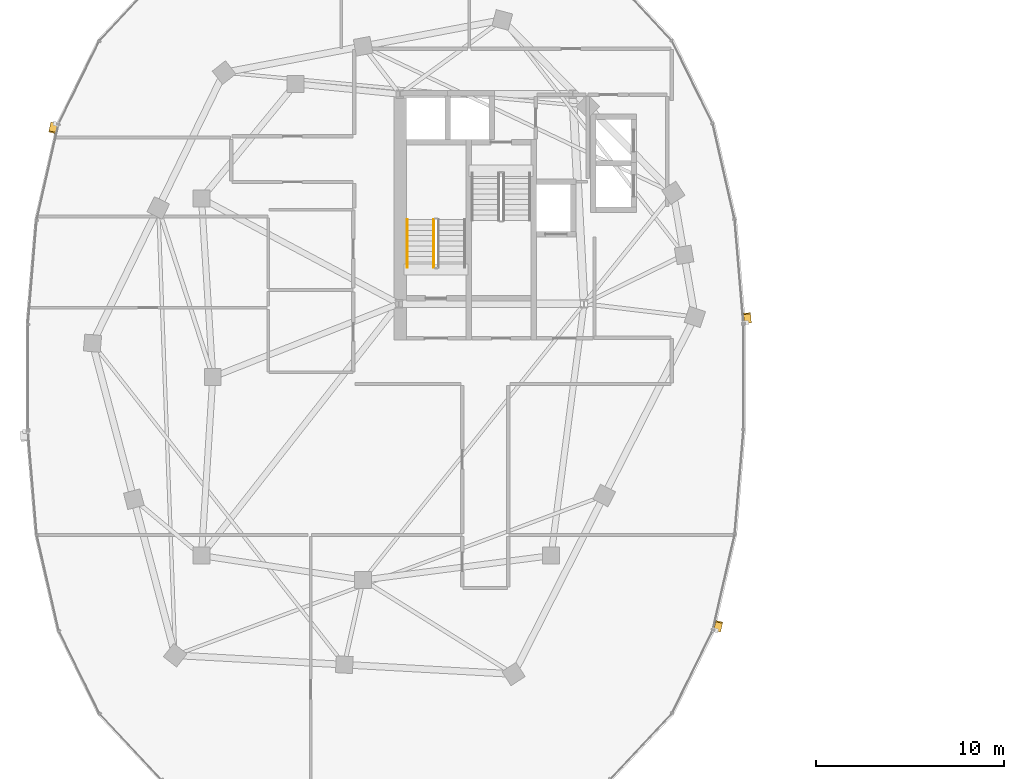
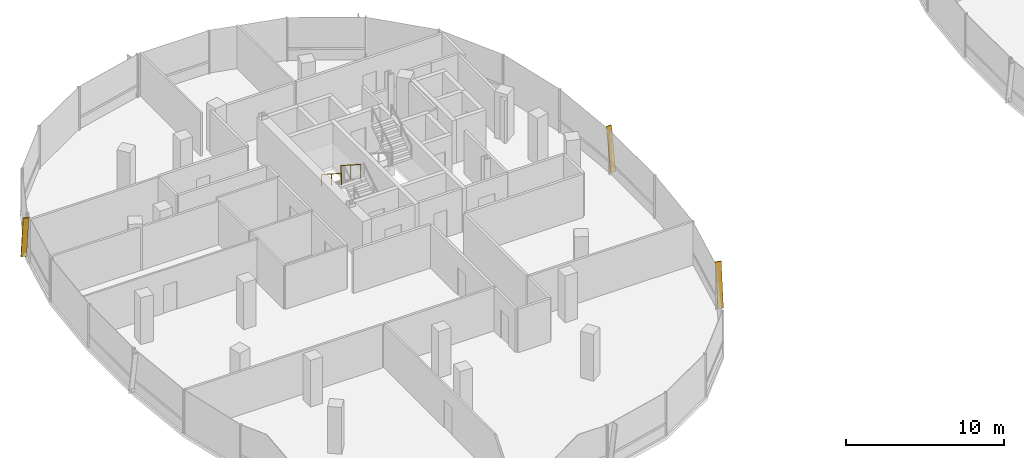
# One storey, part 22 of 25: 3 shading devices, 2 railings.
"""IFC4 building model written with IfcOpenShell, lengths in metres."""

import ifcopenshell
import ifcopenshell.guid

model = None  # the IFC model being written
_history = None  # IfcOwnerHistory: only IFC2X3 demands one
_inside = {}  # id of a spatial element -> (the spatial element, [elements in it])
_under = {}  # id of a project, library or spatial element -> (it, [spatial elements below it])
_declared = {}  # id of a project -> (the project, [libraries it declares])
_typed = {}  # id of a type object -> (the type object, [elements of that type])
_made_of = {}  # id of a material, layer set ... -> (it, [elements and type objects made of it])


def new_model(schema):
    """Start an empty IFC model of exactly this schema.

    Asked for "IFC4X3", IfcOpenShell would pick the latest addendum, in which some entities
    have other attributes; the version numbers below select the first issue.
    IFC2X3 requires an IfcOwnerHistory on every rooted entity: one is made here for all.
    """
    global model, _history
    if schema == "IFC4X3":
        model = ifcopenshell.file(schema_version=(4, 3, 0, 0))
    else:
        model = ifcopenshell.file(schema=schema)
    _inside.clear()
    _under.clear()
    _declared.clear()
    _typed.clear()
    _made_of.clear()
    _history = None
    if model.schema == "IFC2X3":
        org = make("IfcOrganization", Name="unknown")
        user = make(
            "IfcPersonAndOrganization",
            ThePerson=make("IfcPerson", FamilyName="unknown"),
            TheOrganization=org,
        )
        app = make(
            "IfcApplication",
            ApplicationDeveloper=org,
            Version="unknown",
            ApplicationFullName="unknown",
            ApplicationIdentifier="unknown",
        )
        _history = make(
            "IfcOwnerHistory",
            OwningUser=user,
            OwningApplication=app,
            ChangeAction="ADDED",
            CreationDate=0,
        )
    return model


def make(cls, **values):
    """One entity of the class cls with the attributes given. An attribute that is None is left unset."""
    return model.create_entity(
        cls, **{name: value for name, value in values.items() if value is not None}
    )


def rooted(cls, **values):
    """An entity with a GlobalId (a new one), such as an element, a storey or a relation."""
    return make(cls, GlobalId=ifcopenshell.guid.new(), OwnerHistory=_history, **values)


def si_unit(unit_type, name, prefix=None):
    """IfcSIUnit, for example si_unit("LENGTHUNIT", "METRE", prefix="MILLI")."""
    return make("IfcSIUnit", UnitType=unit_type, Prefix=prefix, Name=name)


def assignment(units):
    """IfcUnitAssignment: the units of a project."""
    return None if units is None else make("IfcUnitAssignment", Units=units)


def point(xyz):
    """IfcCartesianPoint."""
    return None if xyz is None else make("IfcCartesianPoint", Coordinates=xyz)


def direction(xyz):
    """IfcDirection."""
    return None if xyz is None else make("IfcDirection", DirectionRatios=xyz)


def frame(location, z_axis=None, x_axis=None):
    """IfcAxis2Placement3D, a coordinate frame: its origin and axes. An axis left out is left unset."""
    return make(
        "IfcAxis2Placement3D",
        Location=point(location),
        Axis=direction(z_axis),
        RefDirection=direction(x_axis),
    )


def frame_2d(location, x_axis=None):
    """IfcAxis2Placement2D, a coordinate frame in the plane: its origin and x axis."""
    return make(
        "IfcAxis2Placement2D", Location=point(location), RefDirection=direction(x_axis)
    )


def origin():
    """The frame at (0, 0, 0) with its axes left unset."""
    return frame((0.0, 0.0, 0.0))


def origin_2d():
    """The frame at (0, 0) in the plane with its x axis left unset."""
    return frame_2d((0.0, 0.0))


def place(relative_to, where):
    """IfcLocalPlacement: puts the frame where relative to a parent placement (None: the world)."""
    return make(
        "IfcLocalPlacement", PlacementRelTo=relative_to, RelativePlacement=where
    )


def context(
    kind, dimensions, precision=None, world=None, true_north=None, identifier=None
):
    """IfcGeometricRepresentationContext, for example the 3D "Model" context."""
    return make(
        "IfcGeometricRepresentationContext",
        ContextIdentifier=identifier,
        ContextType=kind,
        CoordinateSpaceDimension=dimensions,
        Precision=precision,
        WorldCoordinateSystem=world,
        TrueNorth=true_north,
    )


def subcontext(parent, identifier, kind, view, scale=None):
    """IfcGeometricRepresentationSubContext, for example "Body" below "Model"."""
    return make(
        "IfcGeometricRepresentationSubContext",
        ContextIdentifier=identifier,
        ContextType=kind,
        ParentContext=parent,
        TargetScale=scale,
        TargetView=view,
    )


def project(units=None, contexts=None):
    """IfcProject with its units and contexts."""
    return rooted(
        "IfcProject",
        Name="project",
        RepresentationContexts=contexts,
        UnitsInContext=assignment(units),
    )


def spatial(cls, under=None, at=None, **own):
    """A site, building, storey or space (cls), placed at a placement, below another one or the project."""
    s = rooted(cls, ObjectPlacement=at, **own)
    if under is not None:
        _under.setdefault(under.id(), (under, []))[1].append(s)
    return s


def profile(cls, at=None, kind="AREA", **sizes):
    """A parametric profile (cls). Its sizes go by their IFC names, for example OverallWidth=200.0."""
    return make(cls, ProfileType=kind, Position=at, **sizes)


def rectangle(**sizes):
    """IfcRectangleProfileDef."""
    return profile("IfcRectangleProfileDef", **sizes)


def extrude(swept, where, along, depth):
    """IfcExtrudedAreaSolid: the profile swept, set in the frame where, extruded along a direction by depth."""
    return make(
        "IfcExtrudedAreaSolid",
        SweptArea=swept,
        Position=where,
        ExtrudedDirection=direction(along),
        Depth=depth,
    )


def shape(context_of_items, identifier, shape_type, items):
    """IfcShapeRepresentation: the items that make up one representation, for example the "Body"."""
    return make(
        "IfcShapeRepresentation",
        ContextOfItems=context_of_items,
        RepresentationIdentifier=identifier,
        RepresentationType=shape_type,
        Items=items,
    )


def material(Name=None, Category=None):
    """IfcMaterial."""
    return make("IfcMaterial", Name=Name, Category=Category)


def material_profile(
    of_material, cross_section, Name=None, Category=None, Priority=None
):
    """IfcMaterialProfile: a cross section and its material."""
    return make(
        "IfcMaterialProfile",
        Name=Name,
        Material=of_material,
        Profile=cross_section,
        Priority=Priority,
        Category=Category,
    )


def profile_set(profiles, Name=None, composite=None):
    """IfcMaterialProfileSet."""
    return make(
        "IfcMaterialProfileSet",
        Name=Name,
        MaterialProfiles=profiles,
        CompositeProfile=composite,
    )


def made_of(thing, what):
    """Note that an element or type object is made of a material, layer set ...; save() writes the relation."""
    if what is not None:
        _made_of.setdefault(what.id(), (what, []))[1].append(thing)
    return thing


def type_object(cls, material=None, **own):
    """A type object (cls), such as IfcWallType, which elements share."""
    return made_of(rooted(cls, **own), material)


def element(
    cls,
    number,
    at=None,
    inside=None,
    cuts=None,
    type_object=None,
    material=None,
    context=None,
    identifier="Body",
    shape_type=None,
    held_by="IfcProductDefinitionShape",
    body=None,
    shapes=None,
    **own,
):
    """One element of the class cls, such as IfcWall. Its Tag is "e" and its number.

    at: its placement. inside: the storey or other place that contains it. cuts: it is an
    opening in that element (IfcRelVoidsElement). A single representation is given by context,
    identifier, shape_type and body (its items); several are given by shapes. held_by: the class
    of the entity that holds the representations. save() writes the other relations.
    """
    e = rooted(cls, Tag="e%d" % number, ObjectPlacement=at, **own)
    if body is not None:
        shapes = [shape(context, identifier, shape_type, body)]
    if shapes is not None:
        e.Representation = make(held_by, Representations=shapes)
    if inside is not None:
        _inside.setdefault(inside.id(), (inside, []))[1].append(e)
    if cuts is not None:
        rooted(
            "IfcRelVoidsElement", RelatingBuildingElement=cuts, RelatedOpeningElement=e
        )
    if type_object is not None:
        _typed.setdefault(type_object.id(), (type_object, []))[1].append(e)
    return made_of(e, material)


def aggregate(whole, parts):
    """IfcRelAggregates: a whole, such as a stair, and the parts it consists of."""
    return rooted("IfcRelAggregates", RelatingObject=whole, RelatedObjects=parts)


def save(model, path):
    """Write the relations noted so far, then the file.

    IfcRelAggregates (storeys below a building ...), IfcRelContainedInSpatialStructure (elements
    in a storey), IfcRelDefinesByType, IfcRelAssociatesMaterial and IfcRelDeclares: one each for
    every whole, place, type object, material and project.
    """
    for whole, parts in _under.values():
        aggregate(whole, parts)
    for where, things in _inside.values():
        rooted(
            "IfcRelContainedInSpatialStructure",
            RelatedElements=things,
            RelatingStructure=where,
        )
    for kind, things in _typed.values():
        rooted("IfcRelDefinesByType", RelatedObjects=things, RelatingType=kind)
    for what, things in _made_of.values():
        rooted("IfcRelAssociatesMaterial", RelatedObjects=things, RelatingMaterial=what)
    for by, libraries in _declared.values():
        rooted("IfcRelDeclares", RelatingContext=by, RelatedDefinitions=libraries)
    model.write(path)


model = new_model("IFC4")

# Units and contexts
model_context = context("Model", 3, precision=1e-05, world=origin(), true_north=direction((0.0, 1.0)))
body_context = subcontext(model_context, "Body", "Model", "MODEL_VIEW")
ifc_project = project(units=[si_unit("LENGTHUNIT", "METRE"), si_unit("AREAUNIT", "SQUARE_METRE"), si_unit("VOLUMEUNIT", "CUBIC_METRE"), si_unit("PLANEANGLEUNIT", "RADIAN"), si_unit("MASSUNIT", "GRAM", prefix="KILO"), si_unit("THERMODYNAMICTEMPERATUREUNIT", "KELVIN"), si_unit("POWERUNIT", "WATT")], contexts=[model_context])

# Site, building, storey
site_placement = place(None, origin())
site = spatial("IfcSite", under=ifc_project, at=site_placement, CompositionType="ELEMENT")
building_placement = place(site_placement, origin())
building = spatial("IfcBuilding", under=site, at=building_placement, Name="Cundina Bronze Exchange", CompositionType="ELEMENT")
storey_placement = place(building_placement, frame((0.0, 0.0, 202.60009765625)))
storey = spatial("IfcBuildingStorey", under=building, at=storey_placement, Name="L53", CompositionType="ELEMENT", Elevation=202.60009765625)

# Railings
ifc_material_1 = material(Name="Steel ASTM A36 Painted", Category="steel")
railing_type_1 = type_object("IfcRailingType", Name="RLG-HND-900", PredefinedType="HANDRAIL", material=ifc_material_1)
railing_1_placement = place(storey_placement, frame((-30.85009765625, 8.3701171875, 1.97998046875)))
element("IfcRailing", 1, at=railing_1_placement, inside=storey, type_object=railing_type_1, Name="L53 ST-W1 stair handrail 2", PredefinedType="HANDRAIL", context=body_context, shape_type="SweptSolid", body=[
    extrude(rectangle(XDim=0.048095703125, YDim=0.048095703125, at=origin_2d()), frame((0.0, 0.0, 0.8759765625), z_axis=(0.0, -0.841199657755, 0.540724639528), x_axis=(1.0, 0.0, 0.0)), (0.0, 0.0, 1.0), 2.995849609375),
    extrude(rectangle(XDim=0.0419921875, YDim=0.0419921875, at=origin_2d()), origin(), (0.0, 0.0, 1.0), 0.851806640625),
    extrude(rectangle(XDim=0.0419921875, YDim=0.0419921875, at=origin_2d()), frame((0.0, -1.260009765625, 0.81005859375)), (0.0, 0.0, 1.0), 0.851806640625),
    extrude(rectangle(XDim=0.0419921875, YDim=0.0419921875, at=origin_2d()), frame((0.0, -2.52001953125, 1.619873046875)), (0.0, 0.0, 1.0), 0.851806640625),
])
railing_type_2 = type_object("IfcRailingType", Name="RLG-STG-1100", PredefinedType="GUARDRAIL", material=ifc_material_1)
railing_2_placement = place(storey_placement, frame((-29.449951171875, 8.3701171875, 1.97998046875)))
element("IfcRailing", 2, at=railing_2_placement, inside=storey, type_object=railing_type_2, Name="L53 ST-W1 stair guard 3", PredefinedType="GUARDRAIL", context=body_context, shape_type="SweptSolid", body=[
    extrude(rectangle(XDim=0.048095703125, YDim=0.048095703125, at=origin_2d()), frame((0.0, 0.0, 1.076171875), z_axis=(0.0, -0.841199657755, 0.540724639528), x_axis=(1.0, 0.0, 0.0)), (0.0, 0.0, 1.0), 2.995849609375),
    extrude(rectangle(XDim=0.0419921875, YDim=0.0419921875, at=origin_2d()), origin(), (0.0, 0.0, 1.0), 1.052001953125),
    extrude(rectangle(XDim=0.0419921875, YDim=0.0419921875, at=origin_2d()), frame((0.0, -1.260009765625, 0.81005859375)), (0.0, 0.0, 1.0), 1.052001953125),
    extrude(rectangle(XDim=0.0419921875, YDim=0.0419921875, at=origin_2d()), frame((0.0, -2.52001953125, 1.619873046875)), (0.0, 0.0, 1.0), 1.052001953125),
])

# Shading devices
ifc_material_2 = material(Name="Anodised Bronze Aluminium 6063-T6", Category="aluminium")
ifc_material_profile = material_profile(ifc_material_2, rectangle(XDim=0.070068359375, YDim=0.3798828125, at=origin_2d()), Name="FIN70X380", Category="aluminium")
ifc_profile_set = profile_set([ifc_material_profile], Name="Anodised Bronze Aluminium 6063-T6")
shading_device_type = type_object("IfcShadingDeviceType", Name="SHD-FIN-BRZ380", PredefinedType="USERDEFINED", material=ifc_profile_set)
for number, where, z_axis, x_axis, name in (
    (3, (-12.735595703125, 2.90283203125, 0.02001953125), (-0.012007425696, 0.143430164259, 0.989587595774), (0.082555708425, -0.986138004904, 0.143931894628), "L53 Diagonal Bronze Solar Fin 1"),
    (4, (-49.636962890625, 13.4931640625, 0.02001953125), (-0.032141567252, -0.140353950846, 0.989579551192), (0.220899074037, 0.964609396194, 0.143987193401), "L53 Diagonal Bronze Solar Fin 5"),
    (5, (-14.363037109375, -13.4931640625, 0.02001953125), (0.032141567252, 0.140353950846, 0.989579551192), (-0.220899074037, -0.964609396194, 0.143987193401), "L53 Diagonal Bronze Solar Fin 5"),
):
    element("IfcShadingDevice", number, at=place(storey_placement, frame(where, z_axis=z_axis, x_axis=x_axis)), inside=storey, type_object=shading_device_type, Name=name, ObjectType="FIN", PredefinedType="USERDEFINED", context=body_context, shape_type="SweptSolid", body=[
        extrude(rectangle(XDim=0.070068359375, YDim=0.3798828125, at=origin_2d()), origin(), (0.0, 0.0, 1.0), 3.33447265625),
    ])

save(model, "model.ifc")
